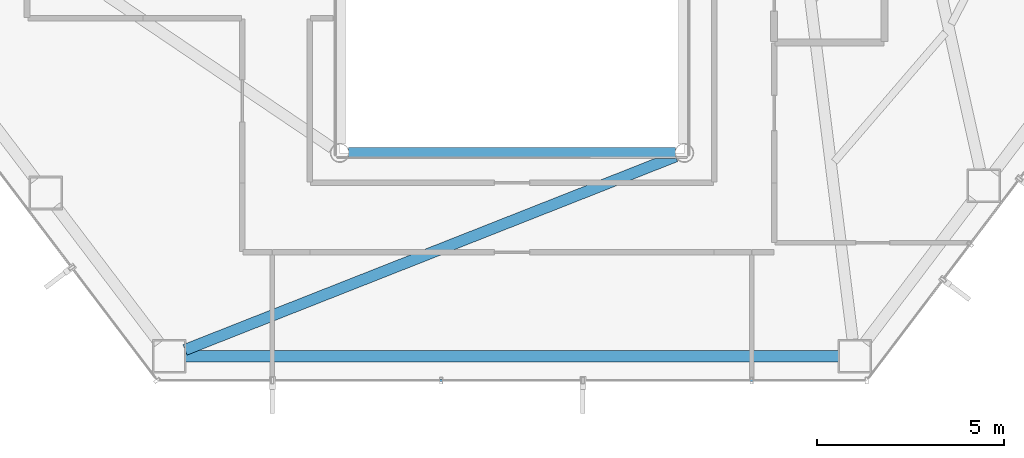
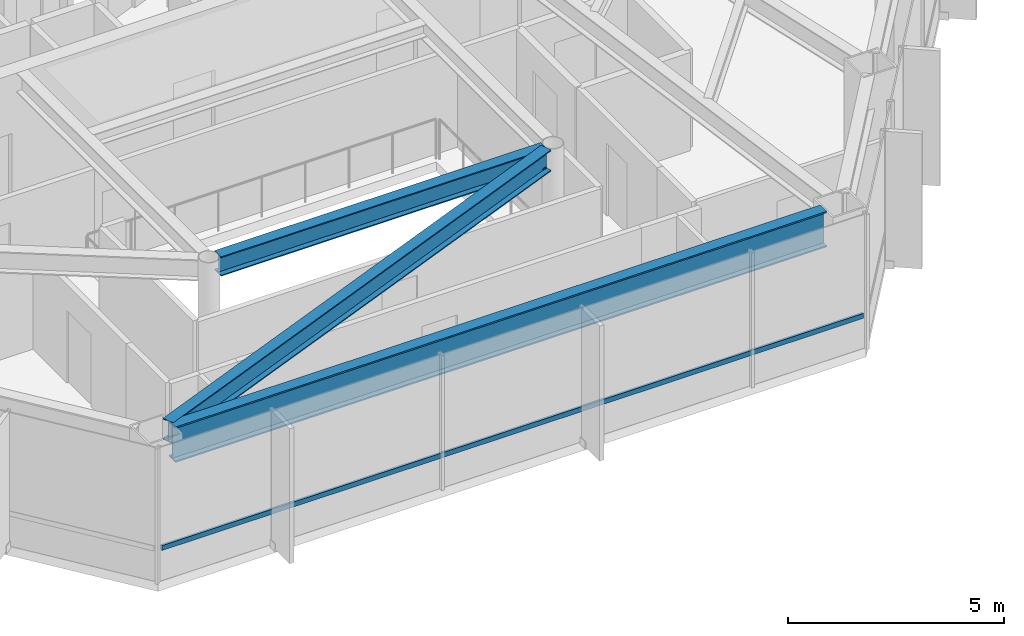
# One storey, part 7 of 24: 3 beams, 1 member, 1 element without a shape of its own.
"""IFC4 building model written with IfcOpenShell, lengths in metres."""

from ifc_helpers import new_model, si_unit, direction, frame, origin, origin_2d, place, context, subcontext, project, spatial, hollow_rectangle, i_section, extrude, material, layer, layer_set, material_profile, profile_set, type_object, element, aggregate, save


model = new_model("IFC4")

# Units and contexts
model_context = context("Model", 3, precision=1e-05, world=origin(), true_north=direction((0.0, 1.0)))
body_context = subcontext(model_context, "Body", "Model", "MODEL_VIEW")
ifc_project = project(units=[si_unit("LENGTHUNIT", "METRE"), si_unit("AREAUNIT", "SQUARE_METRE"), si_unit("VOLUMEUNIT", "CUBIC_METRE"), si_unit("PLANEANGLEUNIT", "RADIAN"), si_unit("MASSUNIT", "GRAM", prefix="KILO")], contexts=[model_context])

# Site, building, storey
site_placement = place(None, origin())
site = spatial("IfcSite", under=ifc_project, at=site_placement, CompositionType="ELEMENT")
building_placement = place(site_placement, origin())
building = spatial("IfcBuilding", under=site, at=building_placement, Name="Zarrinselat Tower", CompositionType="ELEMENT")
storey_placement = place(building_placement, frame((0.0, 0.0, 100.97998046875)))
storey = spatial("IfcBuildingStorey", under=building, at=storey_placement, Name="L24", CompositionType="ELEMENT", Elevation=100.97998046875)

# Beams
ifc_material_1 = material(Name="Steel S355J2", Category="steel")
ifc_material_profile_1 = material_profile(ifc_material_1, i_section(OverallWidth=0.300048828125, OverallDepth=0.550048828125, WebThickness=0.014892578125, FlangeThickness=0.029052734375, at=origin_2d()), Name="HEB 550")
ifc_profile_set_1 = profile_set([ifc_material_profile_1], Name="Steel S355J2")
beam_type_1 = type_object("IfcBeamType", Name="BM-HEB550", PredefinedType="BEAM", material=ifc_profile_set_1)
beam_1_placement = place(storey_placement, frame((34.0400390625, 24.39990234375, 3.544921875), z_axis=(1.0, 0.0, 0.0), x_axis=(0.0, 1.0, 0.0)))
element("IfcBeam", 1, at=beam_1_placement, inside=storey, type_object=beam_type_1, Name="L24 Atrium Edge Beam S", PredefinedType="BEAM", context=body_context, shape_type="SweptSolid", body=[
    extrude(i_section(OverallWidth=0.300048828125, OverallDepth=0.550048828125, WebThickness=0.014892578125, FlangeThickness=0.029052734375, at=origin_2d()), origin(), (0.0, 0.0, 1.0), 8.719970703125),
])
ifc_material_2 = material(Name="Steel S355J2", Category="steel")
ifc_material_profile_2 = material_profile(ifc_material_2, i_section(OverallWidth=0.300048828125, OverallDepth=0.60009765625, WebThickness=0.015380859375, FlangeThickness=0.030029296875, at=origin_2d()), Name="HEB 600")
ifc_profile_set_2 = profile_set([ifc_material_profile_2], Name="Steel S355J2")
beam_type_2 = type_object("IfcBeamType", Name="BM-HEB600", PredefinedType="BEAM", material=ifc_profile_set_2)
beam_2_placement = place(storey_placement, frame((29.669677734375, 19.1416015625, 3.52001953125), z_axis=(0.930237169261, 0.366958865439, 0.0), x_axis=(-0.366958865439, 0.930237169261, 0.0)))
element("IfcBeam", 2, at=beam_2_placement, inside=storey, type_object=beam_type_2, Name="L24 Radial Primary Girder RG10", PredefinedType="BEAM", context=body_context, shape_type="SweptSolid", body=[
    extrude(i_section(OverallWidth=0.300048828125, OverallDepth=0.60009765625, WebThickness=0.015380859375, FlangeThickness=0.030029296875, at=origin_2d()), origin(), (0.0, 0.0, 1.0), 14.079833984375),
])
ifc_material_3 = material(Name="Steel S460M", Category="steel")
ifc_material_profile_3 = material_profile(ifc_material_3, i_section(OverallWidth=0.302001953125, OverallDepth=1.008056640625, WebThickness=0.02099609375, FlangeThickness=0.0400390625, at=origin_2d()), Name="HEM 1000")
ifc_profile_set_3 = profile_set([ifc_material_profile_3], Name="Steel S460M")
beam_type_3 = type_object("IfcBeamType", Name="BM-HEM1000", PredefinedType="BEAM", material=ifc_profile_set_3)
beam_3_placement = place(storey_placement, frame((29.68701171875, 18.9755859375, 3.31591796875), z_axis=(1.0, 0.0, 0.0), x_axis=(0.0, 1.0, 0.0)))
element("IfcBeam", 3, at=beam_3_placement, inside=storey, type_object=beam_type_3, Name="L24 Perimeter Spandrel Girder SP10", PredefinedType="BEAM", context=body_context, shape_type="SweptSolid", body=[
    extrude(i_section(OverallWidth=0.302001953125, OverallDepth=1.008056640625, WebThickness=0.02099609375, FlangeThickness=0.0400390625, at=origin_2d()), origin(), (0.0, 0.0, 1.0), 17.42578125),
])

# Curtain wall, member
ifc_material_4 = material(Name="Extruded Aluminium Alloy EN AW-6063 T6", Category="aluminium")
ifc_layer = layer(ifc_material_4, 0.18505859375)
ifc_layer_set = layer_set([ifc_layer], Name="Extruded Aluminium Alloy EN AW-6063 T6")
curtain_wall_type = type_object("IfcCurtainWallType", Name="CWS-OFF", PredefinedType="NOTDEFINED", material=ifc_layer_set)
curtain_wall_placement = place(storey_placement, origin())
curtain_wall = element("IfcCurtainWall", 4, at=curtain_wall_placement, inside=storey, type_object=curtain_wall_type, Name="L24 Unitised Curtain Wall CW-L24-E04", PredefinedType="NOTDEFINED")
ifc_material_5 = material(Name="Extruded Aluminium Alloy EN AW-6063 T6", Category="aluminium")
ifc_material_profile_4 = material_profile(ifc_material_5, hollow_rectangle(XDim=0.06005859375, YDim=0.139892578125, WallThickness=0.00390625, at=origin_2d()), Name="RHS 140x60x4")
ifc_profile_set_4 = profile_set([ifc_material_profile_4], Name="Extruded Aluminium Alloy EN AW-6063 T6")
member_type = type_object("IfcMemberType", Name="MEM-CW-TRN", PredefinedType="USERDEFINED", material=ifc_profile_set_4)
member_placement = place(storey_placement, frame((29.01611328125, 18.32568359375, 0.949951171875), z_axis=(1.0, 0.0, 0.0), x_axis=(0.0, 1.0, 0.0)))
member = element("IfcMember", 5, at=member_placement, type_object=member_type, Name="CW-L24-E04 Transom 1", ObjectType="TRANSOM", PredefinedType="USERDEFINED", context=body_context, shape_type="SweptSolid", body=[
    extrude(hollow_rectangle(XDim=0.06005859375, YDim=0.139892578125, WallThickness=0.00390625, at=origin_2d()), origin(), (0.0, 0.0, 1.0), 18.767822265625),
])
aggregate(curtain_wall, [member])

save(model, "model.ifc")
